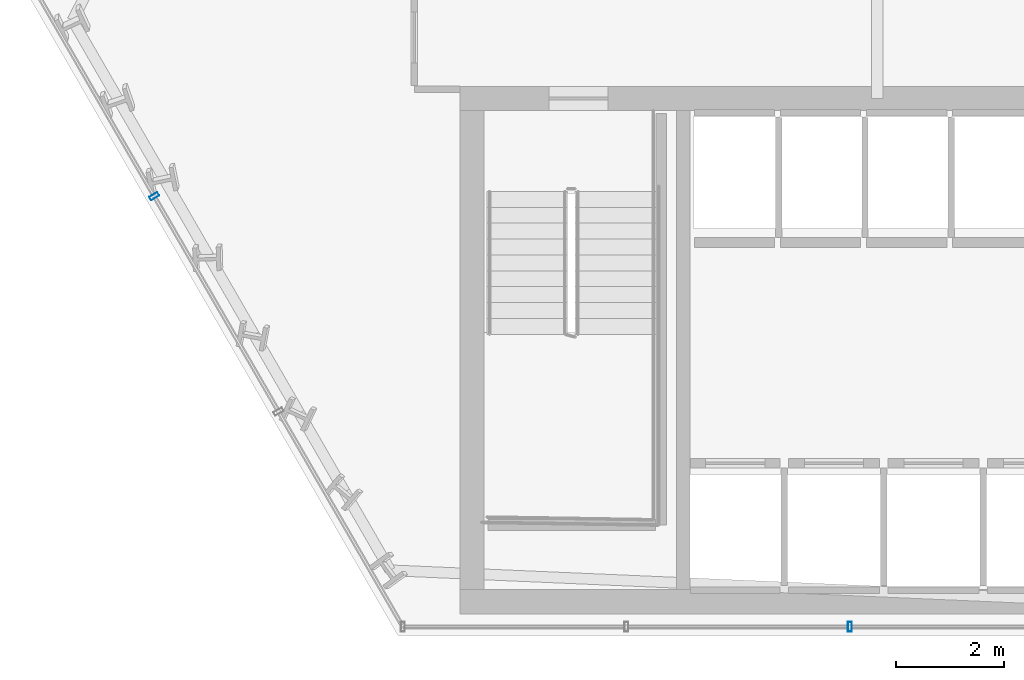
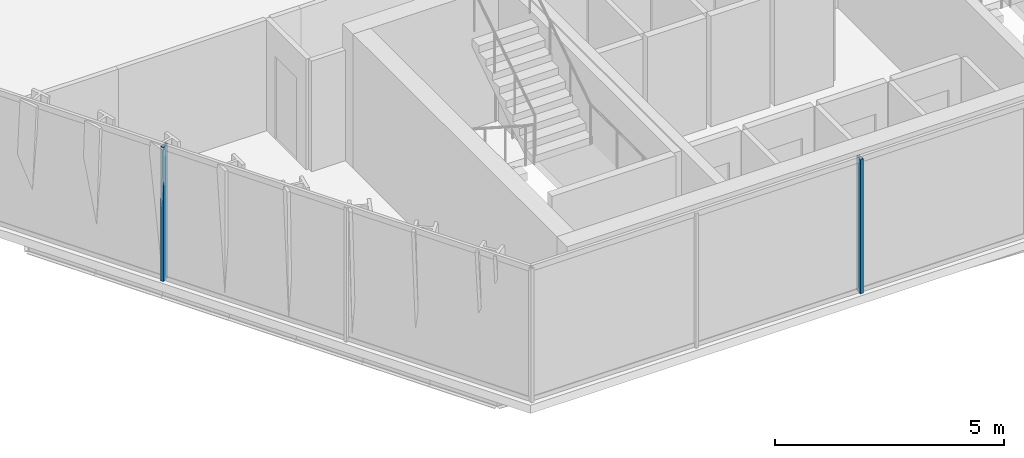
# One storey, part 4 of 32: 2 members, 2 elements without a shape of their own.
"""IFC4 building model written with IfcOpenShell, lengths in metres."""

from ifc_helpers import new_model, si_unit, direction, frame, origin, origin_2d, place, context, subcontext, project, spatial, hollow_rectangle, extrude, material, layer, layer_set, material_profile, profile_set, type_object, element, aggregate, save


model = new_model("IFC4")

# Units and contexts
model_context = context("Model", 3, precision=1e-05, world=origin(), true_north=direction((0.0, 1.0)))
body_context = subcontext(model_context, "Body", "Model", "MODEL_VIEW")
ifc_project = project(units=[si_unit("LENGTHUNIT", "METRE"), si_unit("AREAUNIT", "SQUARE_METRE"), si_unit("VOLUMEUNIT", "CUBIC_METRE"), si_unit("PLANEANGLEUNIT", "RADIAN"), si_unit("MASSUNIT", "GRAM", prefix="KILO")], contexts=[model_context])

# Site, building, storey
site_placement = place(None, origin())
site = spatial("IfcSite", under=ifc_project, at=site_placement, CompositionType="ELEMENT")
building_placement = place(site_placement, origin())
building = spatial("IfcBuilding", under=site, at=building_placement, Name="Ndaravel Arena Tower", CompositionType="ELEMENT")
storey_placement = place(building_placement, frame((0.0, 0.0, 96.800048828125)))
storey = spatial("IfcBuildingStorey", under=building, at=storey_placement, Name="L22", CompositionType="ELEMENT", Elevation=96.800048828125)

# Curtain wall, member
ifc_material_1 = material(Name="Aluminium", Category="aluminium")
ifc_layer_1 = layer(ifc_material_1, 0.179931640625)
ifc_layer_set_1 = layer_set([ifc_layer_1], Name="Aluminium")
curtain_wall_type_1 = type_object("IfcCurtainWallType", Name="CW-SYS-03", PredefinedType="NOTDEFINED", material=ifc_layer_set_1)
curtain_wall_1_placement = place(storey_placement, origin())
curtain_wall_1 = element("IfcCurtainWall", 1, at=curtain_wall_1_placement, inside=storey, type_object=curtain_wall_type_1, Name="L22 Faceted Crystal Curtain Wall CW-L22-E01", PredefinedType="NOTDEFINED")
ifc_material_2 = material(Name="Aluminium", Category="aluminium")
ifc_material_profile = material_profile(ifc_material_2, hollow_rectangle(XDim=0.074951171875, YDim=0.179931640625, WallThickness=0.00390625, at=origin_2d()), Name="CW MULLION 75x180x4")
ifc_profile_set = profile_set([ifc_material_profile], Name="Aluminium")
member_type = type_object("IfcMemberType", Name="MEM-CW-MUL180", PredefinedType="MULLION", material=ifc_profile_set)
member_1_placement = place(storey_placement, frame((33.69384765625, 5.159912109375, 0.0), z_axis=(0.0, 0.0, 1.0), x_axis=(1.0, 0.0, 0.0)))
member_1 = element("IfcMember", 2, at=member_1_placement, type_object=member_type, Name="CW-L22-E01 Mullion 02", PredefinedType="MULLION", context=body_context, shape_type="SweptSolid", body=[
    extrude(hollow_rectangle(XDim=0.074951171875, YDim=0.179931640625, WallThickness=0.00390625, at=origin_2d()), origin(), (0.0, 0.0, 1.0), 3.579833984375),
])
aggregate(curtain_wall_1, [member_1])

ifc_material_3 = material(Name="Aluminium", Category="aluminium")
ifc_layer_2 = layer(ifc_material_3, 0.179931640625)
ifc_layer_set_2 = layer_set([ifc_layer_2], Name="Aluminium")
curtain_wall_type_2 = type_object("IfcCurtainWallType", Name="CW-SYS-02", PredefinedType="NOTDEFINED", material=ifc_layer_set_2)
curtain_wall_2_placement = place(storey_placement, origin())
curtain_wall_2 = element("IfcCurtainWall", 3, at=curtain_wall_2_placement, inside=storey, type_object=curtain_wall_type_2, Name="L22 Faceted Crystal Curtain Wall CW-L22-E06", PredefinedType="NOTDEFINED")
member_2_placement = place(storey_placement, frame((20.7685546875, 13.160400390625, 0.0), z_axis=(0.0, 0.0, 1.0), x_axis=(0.5, -0.866025403784, 0.0)))
member_2 = element("IfcMember", 4, at=member_2_placement, type_object=member_type, Name="CW-L22-E06 Mullion 01", PredefinedType="MULLION", context=body_context, shape_type="SweptSolid", body=[
    extrude(hollow_rectangle(XDim=0.074951171875, YDim=0.179931640625, WallThickness=0.00390625, at=origin_2d()), origin(), (0.0, 0.0, 1.0), 3.579833984375),
])
aggregate(curtain_wall_2, [member_2])

save(model, "model.ifc")
